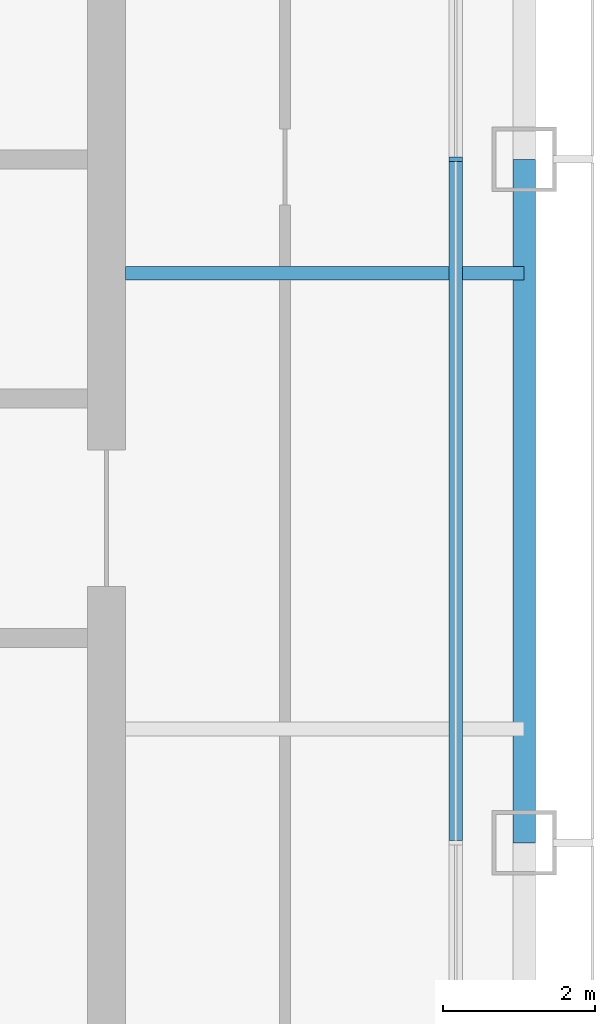
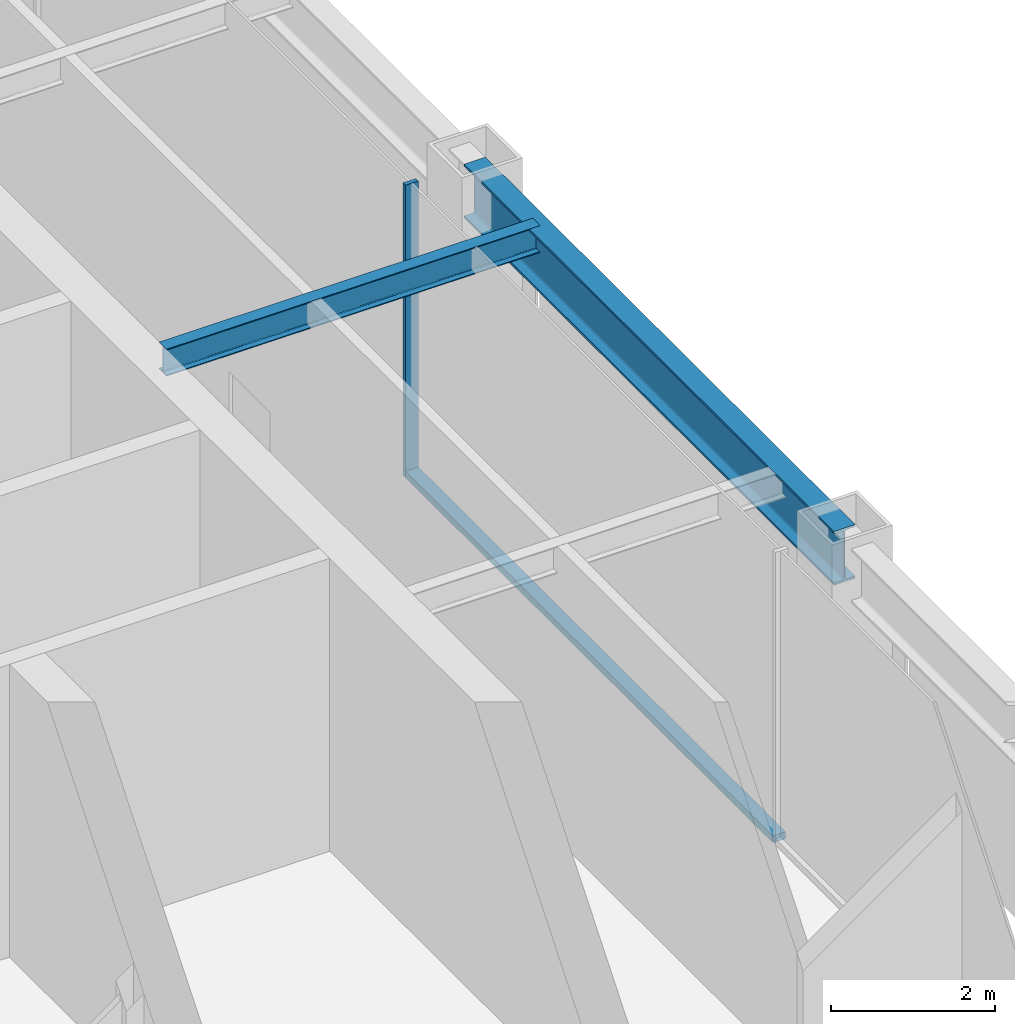
# One storey, part 5 of 23: 2 beams, 2 members, 1 element without a shape of its own.
"""IFC4 building model written with IfcOpenShell, lengths in metres."""

from ifc_helpers import new_model, si_unit, direction, frame, origin, origin_2d, place, context, subcontext, project, spatial, rectangle, i_section, extrude, material, layer, layer_set, material_profile, profile_set, type_object, element, aggregate, save


model = new_model("IFC4")

# Units and contexts
model_context = context("Model", 3, precision=1e-05, world=origin(), true_north=direction((0.0, 1.0)))
body_context = subcontext(model_context, "Body", "Model", "MODEL_VIEW")
ifc_project = project(units=[si_unit("LENGTHUNIT", "METRE"), si_unit("AREAUNIT", "SQUARE_METRE"), si_unit("VOLUMEUNIT", "CUBIC_METRE"), si_unit("PLANEANGLEUNIT", "RADIAN"), si_unit("MASSUNIT", "GRAM", prefix="KILO")], contexts=[model_context])

# Site, building, storey
site_placement = place(None, origin())
site = spatial("IfcSite", under=ifc_project, at=site_placement, CompositionType="ELEMENT")
building_placement = place(site_placement, origin())
building = spatial("IfcBuilding", under=site, at=building_placement, Name="Siwar Civic Tower", CompositionType="ELEMENT")
storey_placement = place(building_placement, frame((0.0, 0.0, 197.199951171875)))
storey = spatial("IfcBuildingStorey", under=building, at=storey_placement, Name="L42", CompositionType="ELEMENT", Elevation=197.199951171875)

# Curtain wall, members
ifc_material_1 = material(Name="Aluminium and glass", Category="aluminium")
ifc_layer = layer(ifc_material_1, 0.179931640625)
ifc_layer_set = layer_set([ifc_layer], Name="Aluminium and glass")
curtain_wall_type = type_object("IfcCurtainWallType", Name="ENV-CW-C", PredefinedType="NOTDEFINED", material=ifc_layer_set)
curtain_wall_placement = place(storey_placement, origin())
curtain_wall = element("IfcCurtainWall", 1, at=curtain_wall_placement, inside=storey, type_object=curtain_wall_type, Name="Curtain wall C E", PredefinedType="NOTDEFINED")
ifc_material_2 = material(Name="Aluminium 6063-T6", Category="aluminium")
ifc_material_profile_1 = material_profile(ifc_material_2, rectangle(XDim=0.179931640625, YDim=0.06005859375, at=origin_2d()), Name="AL 180x60")
ifc_profile_set_1 = profile_set([ifc_material_profile_1], Name="Aluminium 6063-T6")
member_type_1 = type_object("IfcMemberType", Name="ENV-MULLION-C", PredefinedType="MULLION", material=ifc_profile_set_1)
member_1_placement = place(storey_placement, frame((26.10009765625, 0.0, 0.0), z_axis=(0.0, 0.0, 1.0), x_axis=(-1.0, 0.0, 0.0)))
member_1 = element("IfcMember", 2, at=member_1_placement, type_object=member_type_1, Name="Mullion C E 3", PredefinedType="MULLION", context=body_context, shape_type="SweptSolid", body=[
    extrude(rectangle(XDim=0.179931640625, YDim=0.06005859375, at=origin_2d()), origin(), (0.0, 0.0, 1.0), 4.35009765625),
])
ifc_material_3 = material(Name="Aluminium 6063-T6", Category="aluminium")
ifc_material_profile_2 = material_profile(ifc_material_3, rectangle(XDim=0.179931640625, YDim=0.10009765625, at=origin_2d()), Name="AL 180x100")
ifc_profile_set_2 = profile_set([ifc_material_profile_2], Name="Aluminium 6063-T6")
member_type_2 = type_object("IfcMemberType", Name="ENV-TRANSOM-C", PredefinedType="USERDEFINED", material=ifc_profile_set_2)
member_2_placement = place(storey_placement, frame((26.10009765625, -8.969970703125, 0.050048828125), z_axis=(0.0, 1.0, 0.0), x_axis=(-1.0, 0.0, 0.0)))
member_2 = element("IfcMember", 3, at=member_2_placement, type_object=member_type_2, Name="Transom C E 2", ObjectType="TRANSOM", PredefinedType="USERDEFINED", context=body_context, shape_type="SweptSolid", body=[
    extrude(rectangle(XDim=0.179931640625, YDim=0.10009765625, at=origin_2d()), origin(), (0.0, 0.0, 1.0), 8.93994140625),
])
aggregate(curtain_wall, [member_1, member_2])

# Beams
ifc_material_4 = material(Name="Steel S355", Category="steel")
ifc_material_profile_3 = material_profile(ifc_material_4, i_section(OverallWidth=0.179931640625, OverallDepth=0.39990234375, WebThickness=0.008544921875, FlangeThickness=0.013427734375, FilletRadius=0.02099609375, at=origin_2d()), Name="IPE400")
ifc_profile_set_3 = profile_set([ifc_material_profile_3], Name="Steel S355")
beam_type_1 = type_object("IfcBeamType", Name="STR-FB-IPE400", PredefinedType="JOIST", material=ifc_profile_set_3)
beam_1_placement = place(storey_placement, frame((21.75, -1.5, 4.150146484375), z_axis=(1.0, 0.0, 0.0), x_axis=(0.0, 1.0, 0.0)))
element("IfcBeam", 4, at=beam_1_placement, inside=storey, type_object=beam_type_1, Name="L42/bm/F024", PredefinedType="JOIST", context=body_context, shape_type="SweptSolid", body=[
    extrude(i_section(OverallWidth=0.179931640625, OverallDepth=0.39990234375, WebThickness=0.008544921875, FlangeThickness=0.013427734375, FilletRadius=0.02099609375, at=origin_2d()), origin(), (0.0, 0.0, 1.0), 5.25),
])
ifc_material_5 = material(Name="Steel S355", Category="steel")
ifc_material_profile_4 = material_profile(ifc_material_5, i_section(OverallWidth=0.300048828125, OverallDepth=0.800048828125, WebThickness=0.017578125, FlangeThickness=0.032958984375, FilletRadius=0.030029296875, at=origin_2d()), Name="HEB800")
ifc_profile_set_4 = profile_set([ifc_material_profile_4], Name="Steel S355")
beam_type_2 = type_object("IfcBeamType", Name="STR-SB-HEB800", PredefinedType="BEAM", material=ifc_profile_set_4)
beam_2_placement = place(storey_placement, frame((27.0, -9.0, 3.949951171875), z_axis=(0.0, 1.0, 0.0), x_axis=(-1.0, 0.0, 0.0)))
element("IfcBeam", 5, at=beam_2_placement, inside=storey, type_object=beam_type_2, Name="L42/bm/SE-1", PredefinedType="BEAM", context=body_context, shape_type="SweptSolid", body=[
    extrude(i_section(OverallWidth=0.300048828125, OverallDepth=0.800048828125, WebThickness=0.017578125, FlangeThickness=0.032958984375, FilletRadius=0.030029296875, at=origin_2d()), origin(), (0.0, 0.0, 1.0), 9.0),
])

save(model, "model.ifc")
